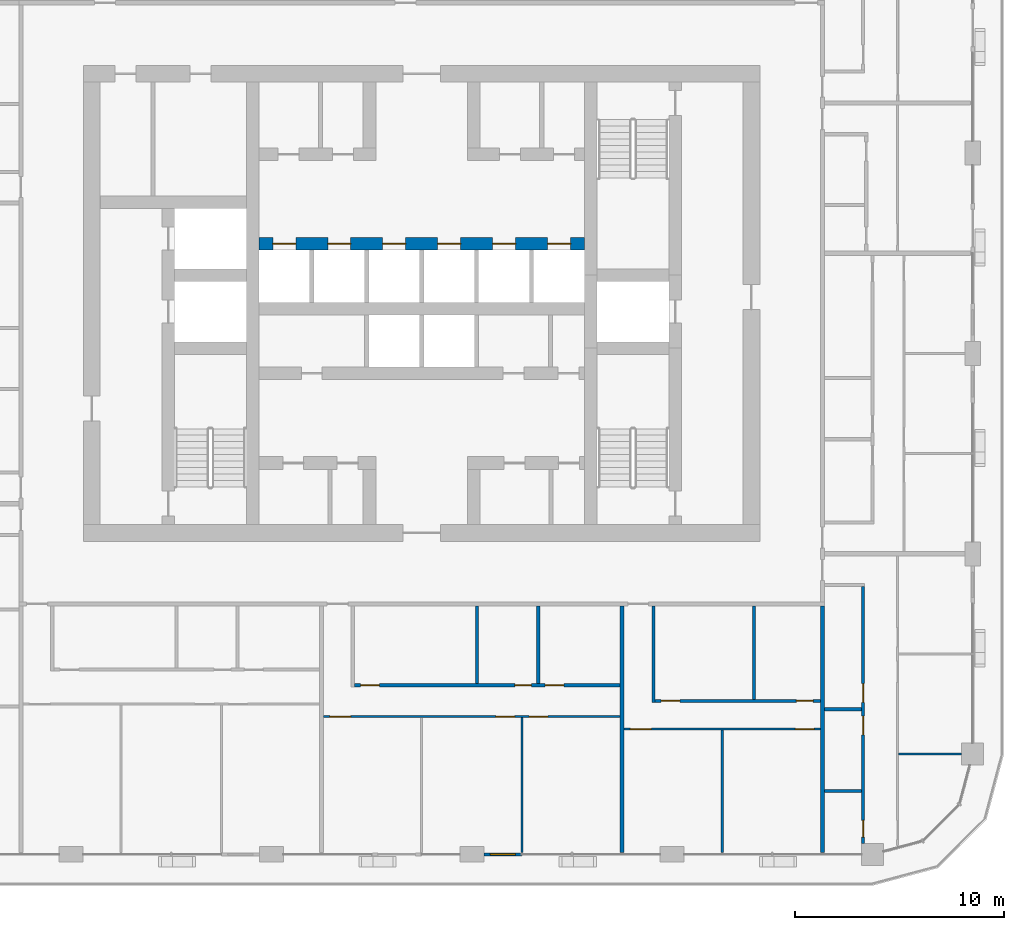
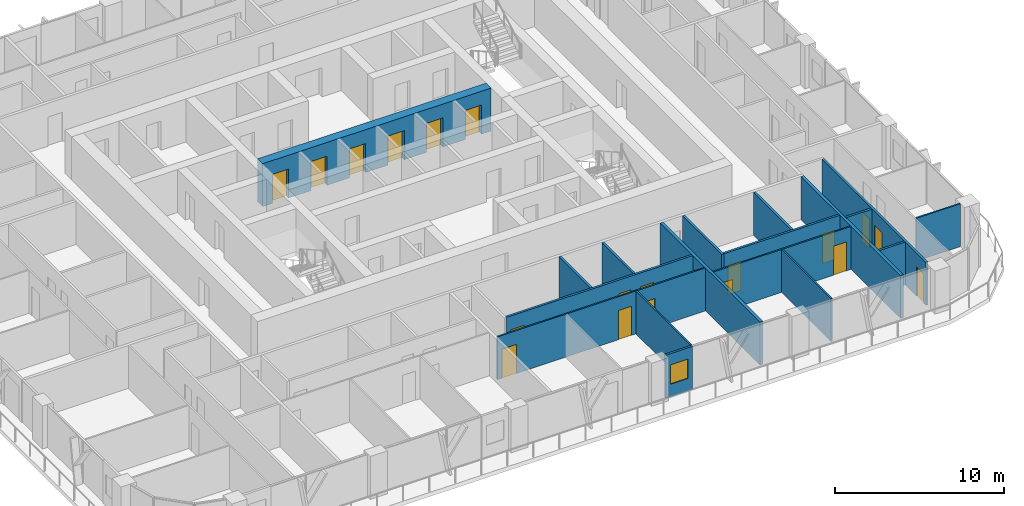
# One storey, part 11 of 22: 19 doors, 18 walls, 1 window, 20 openings.
"""IFC4 building model written with IfcOpenShell, lengths in metres."""

from ifc_helpers import new_model, si_unit, direction, frame, frame_2d, origin, place, context, subcontext, project, spatial, rectangle, extrude, material, layer, layer_set, type_object, element, fill, save


model = new_model("IFC4")

# Units and contexts
model_context = context("Model", 3, precision=1e-05, world=origin(), true_north=direction((0.0, 1.0)))
body_context = subcontext(model_context, "Body", "Model", "MODEL_VIEW")
ifc_project = project(units=[si_unit("LENGTHUNIT", "METRE"), si_unit("AREAUNIT", "SQUARE_METRE"), si_unit("VOLUMEUNIT", "CUBIC_METRE"), si_unit("PLANEANGLEUNIT", "RADIAN"), si_unit("MASSUNIT", "GRAM", prefix="KILO")], contexts=[model_context])

# Site, building, storey
site_placement = place(None, origin())
site = spatial("IfcSite", under=ifc_project, at=site_placement, CompositionType="ELEMENT")
building_placement = place(site_placement, origin())
building = spatial("IfcBuilding", under=site, at=building_placement, Name="Madar Terraces", CompositionType="ELEMENT")
storey_placement = place(building_placement, frame((0.0, 0.0, 170.0)))
storey = spatial("IfcBuildingStorey", under=building, at=storey_placement, Name="L44", CompositionType="ELEMENT", Elevation=170.0)

# Wall, openings, doors
ifc_material_1 = material(Name="Concrete C70/85", Category="concrete")
ifc_layer_1 = layer(ifc_material_1, 0.60009765625)
ifc_layer_set_1 = layer_set([ifc_layer_1], Name="Concrete C70/85 (CIW3 RC wall 600)")
wall_type_1 = type_object("IfcWallType", Name="CIW3 RC wall 600", PredefinedType="SHEAR", material=ifc_layer_set_1)
wall_1_placement = place(storey_placement, frame((23.39990234375, 29.25, 0.0), z_axis=(0.0, 0.0, 1.0), x_axis=(1.0, 0.0, 0.0)))
wall_1 = element("IfcWall", 1, at=wall_1_placement, inside=storey, type_object=wall_type_1, Name="CORE SHAFT WALL", PredefinedType="SHEAR", context=body_context, shape_type="SweptSolid", body=[
    extrude(rectangle(XDim=15.60009765625, YDim=0.60009765625, at=frame_2d((7.800048828125, 0.0))), origin(), (0.0, 0.0, 1.0), 3.10009765625),
])
opening_1_placement = place(wall_1_placement, frame((0.666748046875, 0.0, 0.0)))
opening_1 = element("IfcOpeningElement", 2, at=opening_1_placement, cuts=wall_1, Name="Opening LD", PredefinedType="OPENING", context=body_context, shape_type="SweptSolid", body=[
    extrude(rectangle(XDim=1.10009765625, YDim=2.10009765625, at=frame_2d((0.550048828125, 1.050048828125))), frame((0.0, 0.31005859375, 0.0), z_axis=(0.0, -1.0, 0.0), x_axis=(1.0, 0.0, 0.0)), (0.0, 0.0, 1.0), 0.6201171875),
])
opening_2_placement = place(wall_1_placement, frame((3.300048828125, 0.0, 0.0)))
opening_2 = element("IfcOpeningElement", 3, at=opening_2_placement, cuts=wall_1, Name="Opening LD", PredefinedType="OPENING", context=body_context, shape_type="SweptSolid", body=[
    extrude(rectangle(XDim=1.10009765625, YDim=2.10009765625, at=frame_2d((0.550048828125, 1.050048828125))), frame((0.0, 0.31005859375, 0.0), z_axis=(0.0, -1.0, 0.0), x_axis=(1.0, 0.0, 0.0)), (0.0, 0.0, 1.0), 0.6201171875),
])
opening_3_placement = place(wall_1_placement, frame((5.933349609375, 0.0, 0.0)))
opening_3 = element("IfcOpeningElement", 4, at=opening_3_placement, cuts=wall_1, Name="Opening LD", PredefinedType="OPENING", context=body_context, shape_type="SweptSolid", body=[
    extrude(rectangle(XDim=1.10009765625, YDim=2.10009765625, at=frame_2d((0.550048828125, 1.050048828125))), frame((0.0, 0.31005859375, 0.0), z_axis=(0.0, -1.0, 0.0), x_axis=(1.0, 0.0, 0.0)), (0.0, 0.0, 1.0), 0.6201171875),
])
opening_4_placement = place(wall_1_placement, frame((8.566650390625, 0.0, 0.0)))
opening_4 = element("IfcOpeningElement", 5, at=opening_4_placement, cuts=wall_1, Name="Opening LD", PredefinedType="OPENING", context=body_context, shape_type="SweptSolid", body=[
    extrude(rectangle(XDim=1.10009765625, YDim=2.10009765625, at=frame_2d((0.550048828125, 1.050048828125))), frame((0.0, 0.31005859375, 0.0), z_axis=(0.0, -1.0, 0.0), x_axis=(1.0, 0.0, 0.0)), (0.0, 0.0, 1.0), 0.6201171875),
])
opening_5_placement = place(wall_1_placement, frame((11.199951171875, 0.0, 0.0)))
opening_5 = element("IfcOpeningElement", 6, at=opening_5_placement, cuts=wall_1, Name="Opening LD", PredefinedType="OPENING", context=body_context, shape_type="SweptSolid", body=[
    extrude(rectangle(XDim=1.10009765625, YDim=2.10009765625, at=frame_2d((0.550048828125, 1.050048828125))), frame((0.0, 0.31005859375, 0.0), z_axis=(0.0, -1.0, 0.0), x_axis=(1.0, 0.0, 0.0)), (0.0, 0.0, 1.0), 0.6201171875),
])
opening_6_placement = place(wall_1_placement, frame((13.833251953125, 0.0, 0.0)))
opening_6 = element("IfcOpeningElement", 7, at=opening_6_placement, cuts=wall_1, Name="Opening LD", PredefinedType="OPENING", context=body_context, shape_type="SweptSolid", body=[
    extrude(rectangle(XDim=1.10009765625, YDim=2.10009765625, at=frame_2d((0.550048828125, 1.050048828125))), frame((0.0, 0.31005859375, 0.0), z_axis=(0.0, -1.0, 0.0), x_axis=(1.0, 0.0, 0.0)), (0.0, 0.0, 1.0), 0.6201171875),
])
ifc_material_2 = material(Name="Stainless steel panel", Category="steel")
door_type_1 = type_object("IfcDoorType", Name="Lift landing door 1100 x 2100", OperationType="DOUBLE_DOOR_SLIDING", PredefinedType="DOOR", material=ifc_material_2)
door_1_placement = place(opening_1_placement, origin())
door_1 = element("IfcDoor", 8, at=door_1_placement, inside=storey, type_object=door_type_1, Name="LIFT LANDING DOOR", OperationType="DOUBLE_DOOR_SLIDING", OverallHeight=2.10009765625, OverallWidth=1.10009765625, PredefinedType="DOOR", context=body_context, shape_type="SweptSolid", body=[
    extrude(rectangle(XDim=1.10009765625, YDim=2.10009765625, at=frame_2d((0.550048828125, 1.050048828125))), frame((0.0, 0.02490234375, 0.0), z_axis=(0.0, -1.0, 0.0), x_axis=(1.0, 0.0, 0.0)), (0.0, 0.0, 1.0), 0.050048828125),
])
fill(opening_1, door_1)
door_2_placement = place(opening_2_placement, origin())
door_2 = element("IfcDoor", 9, at=door_2_placement, inside=storey, type_object=door_type_1, Name="LIFT LANDING DOOR", OperationType="DOUBLE_DOOR_SLIDING", OverallHeight=2.10009765625, OverallWidth=1.10009765625, PredefinedType="DOOR", context=body_context, shape_type="SweptSolid", body=[
    extrude(rectangle(XDim=1.10009765625, YDim=2.10009765625, at=frame_2d((0.550048828125, 1.050048828125))), frame((0.0, 0.02490234375, 0.0), z_axis=(0.0, -1.0, 0.0), x_axis=(1.0, 0.0, 0.0)), (0.0, 0.0, 1.0), 0.050048828125),
])
fill(opening_2, door_2)
door_3_placement = place(opening_3_placement, origin())
door_3 = element("IfcDoor", 10, at=door_3_placement, inside=storey, type_object=door_type_1, Name="LIFT LANDING DOOR", OperationType="DOUBLE_DOOR_SLIDING", OverallHeight=2.10009765625, OverallWidth=1.10009765625, PredefinedType="DOOR", context=body_context, shape_type="SweptSolid", body=[
    extrude(rectangle(XDim=1.10009765625, YDim=2.10009765625, at=frame_2d((0.550048828125, 1.050048828125))), frame((0.0, 0.02490234375, 0.0), z_axis=(0.0, -1.0, 0.0), x_axis=(1.0, 0.0, 0.0)), (0.0, 0.0, 1.0), 0.050048828125),
])
fill(opening_3, door_3)
door_4_placement = place(opening_4_placement, origin())
door_4 = element("IfcDoor", 11, at=door_4_placement, inside=storey, type_object=door_type_1, Name="LIFT LANDING DOOR", OperationType="DOUBLE_DOOR_SLIDING", OverallHeight=2.10009765625, OverallWidth=1.10009765625, PredefinedType="DOOR", context=body_context, shape_type="SweptSolid", body=[
    extrude(rectangle(XDim=1.10009765625, YDim=2.10009765625, at=frame_2d((0.550048828125, 1.050048828125))), frame((0.0, 0.02490234375, 0.0), z_axis=(0.0, -1.0, 0.0), x_axis=(1.0, 0.0, 0.0)), (0.0, 0.0, 1.0), 0.050048828125),
])
fill(opening_4, door_4)
door_5_placement = place(opening_5_placement, origin())
door_5 = element("IfcDoor", 12, at=door_5_placement, inside=storey, type_object=door_type_1, Name="LIFT LANDING DOOR", OperationType="DOUBLE_DOOR_SLIDING", OverallHeight=2.10009765625, OverallWidth=1.10009765625, PredefinedType="DOOR", context=body_context, shape_type="SweptSolid", body=[
    extrude(rectangle(XDim=1.10009765625, YDim=2.10009765625, at=frame_2d((0.550048828125, 1.050048828125))), frame((0.0, 0.02490234375, 0.0), z_axis=(0.0, -1.0, 0.0), x_axis=(1.0, 0.0, 0.0)), (0.0, 0.0, 1.0), 0.050048828125),
])
fill(opening_5, door_5)
door_6_placement = place(opening_6_placement, origin())
door_6 = element("IfcDoor", 13, at=door_6_placement, inside=storey, type_object=door_type_1, Name="LIFT LANDING DOOR", OperationType="DOUBLE_DOOR_SLIDING", OverallHeight=2.10009765625, OverallWidth=1.10009765625, PredefinedType="DOOR", context=body_context, shape_type="SweptSolid", body=[
    extrude(rectangle(XDim=1.10009765625, YDim=2.10009765625, at=frame_2d((0.550048828125, 1.050048828125))), frame((0.0, 0.02490234375, 0.0), z_axis=(0.0, -1.0, 0.0), x_axis=(1.0, 0.0, 0.0)), (0.0, 0.0, 1.0), 0.050048828125),
])
fill(opening_6, door_6)

# Wall, opening, window
ifc_material_3 = material(Name="Aluminium composite panel, black, over insulated backing", Category="aluminium")
ifc_layer_2 = layer(ifc_material_3, 0.14990234375)
ifc_layer_set_2 = layer_set([ifc_layer_2], Name="Facade bay panel 150")
wall_type_2 = type_object("IfcWallType", Name="Facade bay panel 150", PredefinedType="SOLIDWALL", material=ifc_layer_set_2)
wall_2_placement = place(storey_placement, frame((34.175048828125, 0.0, 0.0), z_axis=(0.0, 0.0, 1.0), x_axis=(1.0, 0.0, 0.0)))
wall_2 = element("IfcWall", 14, at=wall_2_placement, inside=storey, type_object=wall_type_2, Name="Facade bay panel", PredefinedType="SOLIDWALL", context=body_context, shape_type="SweptSolid", body=[
    extrude(rectangle(XDim=1.824951171875, YDim=0.14990234375, at=frame_2d((0.91259765625, 0.0))), origin(), (0.0, 0.0, 1.0), 3.10009765625),
])
opening_7_placement = place(wall_2_placement, frame((0.3125, 0.0, 0.89990234375)))
opening_7 = element("IfcOpeningElement", 15, at=opening_7_placement, cuts=wall_2, Name="Opening W1", PredefinedType="OPENING", context=body_context, shape_type="SweptSolid", body=[
    extrude(rectangle(XDim=1.199951171875, YDim=1.39990234375, at=frame_2d((0.60009765625, 0.699951171875))), frame((0.0, 0.0849609375, 0.0), z_axis=(0.0, -1.0, 0.0), x_axis=(1.0, 0.0, 0.0)), (0.0, 0.0, 1.0), 0.169921875),
])
ifc_material_4 = material(Name="Glass, clear, with black aluminium frame", Category="aluminium")
window_type = type_object("IfcWindowType", Name="Vent window 1200 x 1400", PartitioningType="SINGLE_PANEL", PredefinedType="WINDOW", material=ifc_material_4)
window_placement = place(opening_7_placement, origin())
window = element("IfcWindow", 16, at=window_placement, inside=storey, type_object=window_type, Name="Operable vent window", OverallHeight=1.39990234375, OverallWidth=1.199951171875, PartitioningType="SINGLE_PANEL", PredefinedType="WINDOW", context=body_context, shape_type="SweptSolid", body=[
    extrude(rectangle(XDim=1.199951171875, YDim=1.39990234375, at=frame_2d((0.60009765625, 0.699951171875))), frame((0.0, 0.030029296875, 0.0), z_axis=(0.0, -1.0, 0.0), x_axis=(1.0, 0.0, 0.0)), (0.0, 0.0, 1.0), 0.06005859375),
])
fill(opening_7, window)

# Wall
ifc_material_5 = material(Name="Gypsum board on steel studs", Category="steel")
ifc_layer_3 = layer(ifc_material_5, 0.10009765625)
ifc_layer_set_3 = layer_set([ifc_layer_3], Name="Flat partition 100")
wall_type_3 = type_object("IfcWallType", Name="Flat partition 100", PredefinedType="PARTITIONING", material=ifc_layer_set_3)
wall_3_placement = place(storey_placement, frame((36.0, 6.550048828125, 0.0), z_axis=(0.0, 0.0, 1.0), x_axis=(0.0, -1.0, 0.0)))
element("IfcWall", 17, at=wall_3_placement, inside=storey, type_object=wall_type_3, Name="Flat partition 100", PredefinedType="PARTITIONING", context=body_context, shape_type="SweptSolid", body=[
    extrude(rectangle(XDim=6.449951171875, YDim=0.10009765625, at=frame_2d((3.22509765625, 0.0))), origin(), (0.0, 0.0, 1.0), 3.10009765625),
])

# Wall, openings, doors
wall_4_placement = place(storey_placement, frame((40.699951171875, 6.60009765625, 0.0), z_axis=(0.0, 0.0, 1.0), x_axis=(-1.0, 0.0, 0.0)))
wall_4 = element("IfcWall", 18, at=wall_4_placement, inside=storey, type_object=wall_type_3, Name="Flat partition 100", PredefinedType="PARTITIONING", context=body_context, shape_type="SweptSolid", body=[
    extrude(rectangle(XDim=14.199951171875, YDim=0.10009765625, at=frame_2d((7.10009765625, 0.0))), origin(), (0.0, 0.0, 1.0), 3.10009765625),
])
opening_8_placement = place(wall_4_placement, frame((12.89990234375, 0.0, 0.0)))
opening_8 = element("IfcOpeningElement", 19, at=opening_8_placement, cuts=wall_4, Name="Opening D3", PredefinedType="OPENING", context=body_context, shape_type="SweptSolid", body=[
    extrude(rectangle(XDim=1.0, YDim=2.10009765625, at=frame_2d((0.5, 1.050048828125))), frame((0.0, 0.06005859375, 0.0), z_axis=(0.0, -1.0, 0.0), x_axis=(1.0, 0.0, 0.0)), (0.0, 0.0, 1.0), 0.1201171875),
])
opening_9_placement = place(wall_4_placement, frame((5.050048828125, 0.0, 0.0)))
opening_9 = element("IfcOpeningElement", 20, at=opening_9_placement, cuts=wall_4, Name="Opening D2", PredefinedType="OPENING", context=body_context, shape_type="SweptSolid", body=[
    extrude(rectangle(XDim=0.89990234375, YDim=2.10009765625, at=frame_2d((0.449951171875, 1.050048828125))), frame((0.0, 0.06005859375, 0.0), z_axis=(0.0, -1.0, 0.0), x_axis=(1.0, 0.0, 0.0)), (0.0, 0.0, 1.0), 0.1201171875),
])
opening_10_placement = place(wall_4_placement, frame((3.449951171875, 0.0, 0.0)))
opening_10 = element("IfcOpeningElement", 21, at=opening_10_placement, cuts=wall_4, Name="Opening D2", PredefinedType="OPENING", context=body_context, shape_type="SweptSolid", body=[
    extrude(rectangle(XDim=0.89990234375, YDim=2.10009765625, at=frame_2d((0.449951171875, 1.050048828125))), frame((0.0, 0.06005859375, 0.0), z_axis=(0.0, -1.0, 0.0), x_axis=(1.0, 0.0, 0.0)), (0.0, 0.0, 1.0), 0.1201171875),
])
ifc_material_6 = material(Name="Timber door leaf", Category="wood")
door_type_2 = type_object("IfcDoorType", Name="Flat living room door 1000", OperationType="NOTDEFINED", PredefinedType="DOOR", material=ifc_material_6)
door_7_placement = place(opening_8_placement, origin())
door_7 = element("IfcDoor", 22, at=door_7_placement, inside=storey, type_object=door_type_2, Name="Flat living room door 1000", OperationType="SINGLE_SWING_RIGHT", OverallHeight=2.10009765625, OverallWidth=1.0, PredefinedType="DOOR", context=body_context, shape_type="SweptSolid", body=[
    extrude(rectangle(XDim=1.0, YDim=2.10009765625, at=frame_2d((0.5, 1.050048828125))), frame((0.0, 0.02490234375, 0.0), z_axis=(0.0, -1.0, 0.0), x_axis=(1.0, 0.0, 0.0)), (0.0, 0.0, 1.0), 0.050048828125),
])
fill(opening_8, door_7)
ifc_material_7 = material(Name="Timber door leaf", Category="wood")
door_type_3 = type_object("IfcDoorType", Name="Flat room door 900", OperationType="NOTDEFINED", PredefinedType="DOOR", material=ifc_material_7)
door_8_placement = place(opening_9_placement, origin())
door_8 = element("IfcDoor", 23, at=door_8_placement, inside=storey, type_object=door_type_3, Name="Flat room door 900", OperationType="SINGLE_SWING_LEFT", OverallHeight=2.10009765625, OverallWidth=0.89990234375, PredefinedType="DOOR", context=body_context, shape_type="SweptSolid", body=[
    extrude(rectangle(XDim=0.89990234375, YDim=2.10009765625, at=frame_2d((0.449951171875, 1.050048828125))), frame((0.0, 0.02490234375, 0.0), z_axis=(0.0, -1.0, 0.0), x_axis=(1.0, 0.0, 0.0)), (0.0, 0.0, 1.0), 0.050048828125),
])
fill(opening_9, door_8)
door_9_placement = place(opening_10_placement, origin())
door_9 = element("IfcDoor", 24, at=door_9_placement, inside=storey, type_object=door_type_3, Name="Flat room door 900", OperationType="SINGLE_SWING_RIGHT", OverallHeight=2.10009765625, OverallWidth=0.89990234375, PredefinedType="DOOR", context=body_context, shape_type="SweptSolid", body=[
    extrude(rectangle(XDim=0.89990234375, YDim=2.10009765625, at=frame_2d((0.449951171875, 1.050048828125))), frame((0.0, 0.02490234375, 0.0), z_axis=(0.0, -1.0, 0.0), x_axis=(1.0, 0.0, 0.0)), (0.0, 0.0, 1.0), 0.050048828125),
])
fill(opening_10, door_9)

# Wall
wall_5_placement = place(storey_placement, frame((45.60009765625, 5.949951171875, 0.0), z_axis=(0.0, 0.0, 1.0), x_axis=(0.0, -1.0, 0.0)))
element("IfcWall", 25, at=wall_5_placement, inside=storey, type_object=wall_type_3, Name="Flat partition 100", PredefinedType="PARTITIONING", context=body_context, shape_type="SweptSolid", body=[
    extrude(rectangle(XDim=5.849853515625, YDim=0.10009765625, at=frame_2d((2.9248046875, 0.0))), origin(), (0.0, 0.0, 1.0), 3.10009765625),
])

# Wall, openings, doors
wall_6_placement = place(storey_placement, frame((50.300048828125, 6.0, 0.0), z_axis=(0.0, 0.0, 1.0), x_axis=(-1.0, 0.0, 0.0)))
wall_6 = element("IfcWall", 26, at=wall_6_placement, inside=storey, type_object=wall_type_3, Name="Flat partition 100", PredefinedType="PARTITIONING", context=body_context, shape_type="SweptSolid", body=[
    extrude(rectangle(XDim=9.400146484375, YDim=0.10009765625, at=frame_2d((4.7001953125, 0.0))), origin(), (0.0, 0.0, 1.0), 3.10009765625),
])
opening_11_placement = place(wall_6_placement, frame((8.10009765625, 0.0, 0.0)))
opening_11 = element("IfcOpeningElement", 27, at=opening_11_placement, cuts=wall_6, Name="Opening D3", PredefinedType="OPENING", context=body_context, shape_type="SweptSolid", body=[
    extrude(rectangle(XDim=1.0, YDim=2.10009765625, at=frame_2d((0.5, 1.050048828125))), frame((0.0, 0.06005859375, 0.0), z_axis=(0.0, -1.0, 0.0), x_axis=(1.0, 0.0, 0.0)), (0.0, 0.0, 1.0), 0.1201171875),
])
opening_12_placement = place(wall_6_placement, frame((0.300048828125, 0.0, 0.0)))
opening_12 = element("IfcOpeningElement", 28, at=opening_12_placement, cuts=wall_6, Name="Opening D2", PredefinedType="OPENING", context=body_context, shape_type="SweptSolid", body=[
    extrude(rectangle(XDim=0.89990234375, YDim=2.10009765625, at=frame_2d((0.449951171875, 1.050048828125))), frame((0.0, 0.06005859375, 0.0), z_axis=(0.0, -1.0, 0.0), x_axis=(1.0, 0.0, 0.0)), (0.0, 0.0, 1.0), 0.1201171875),
])
door_10_placement = place(opening_11_placement, origin())
door_10 = element("IfcDoor", 29, at=door_10_placement, inside=storey, type_object=door_type_2, Name="Flat living room door 1000", OperationType="SINGLE_SWING_RIGHT", OverallHeight=2.10009765625, OverallWidth=1.0, PredefinedType="DOOR", context=body_context, shape_type="SweptSolid", body=[
    extrude(rectangle(XDim=1.0, YDim=2.10009765625, at=frame_2d((0.5, 1.050048828125))), frame((0.0, 0.02490234375, 0.0), z_axis=(0.0, -1.0, 0.0), x_axis=(1.0, 0.0, 0.0)), (0.0, 0.0, 1.0), 0.050048828125),
])
fill(opening_11, door_10)
door_11_placement = place(opening_12_placement, origin())
door_11 = element("IfcDoor", 30, at=door_11_placement, inside=storey, type_object=door_type_3, Name="Flat room door 900", OperationType="SINGLE_SWING_LEFT", OverallHeight=2.10009765625, OverallWidth=0.89990234375, PredefinedType="DOOR", context=body_context, shape_type="SweptSolid", body=[
    extrude(rectangle(XDim=0.89990234375, YDim=2.10009765625, at=frame_2d((0.449951171875, 1.050048828125))), frame((0.0, 0.02490234375, 0.0), z_axis=(0.0, -1.0, 0.0), x_axis=(1.0, 0.0, 0.0)), (0.0, 0.0, 1.0), 0.050048828125),
])
fill(opening_12, door_11)

# Walls
wall_7_placement = place(storey_placement, frame((54.050048828125, 4.800048828125, 0.0), z_axis=(0.0, 0.0, 1.0), x_axis=(1.0, 0.0, 0.0)))
element("IfcWall", 31, at=wall_7_placement, inside=storey, type_object=wall_type_3, Name="Flat partition 100", PredefinedType="PARTITIONING", context=body_context, shape_type="SweptSolid", body=[
    extrude(rectangle(XDim=3.02490234375, YDim=0.10009765625, at=frame_2d((1.512451171875, 0.0))), origin(), (0.0, 0.0, 1.0), 3.10009765625),
])
ifc_material_8 = material(Name="Lightweight blockwork", Category="masonry")
ifc_layer_4 = layer(ifc_material_8, 0.199951171875)
ifc_layer_set_4 = layer_set([ifc_layer_4], Name="Flat party and entrance wall 200")
wall_type_4 = type_object("IfcWallType", Name="Flat party and entrance wall 200", PredefinedType="PARTITIONING", material=ifc_layer_set_4)
for number, where, z_axis, x_axis, name in (
    (32, (40.800048828125, 11.89990234375, 0.0), (0.0, 0.0, 1.0), (0.0, -1.0, 0.0), "Flat party and entrance wall 200"),
    (33, (50.39990234375, 11.89990234375, 0.0), (0.0, 0.0, 1.0), (0.0, -1.0, 0.0), "Flat party and entrance wall 200"),
):
    element("IfcWall", number, at=place(storey_placement, frame(where, z_axis=z_axis, x_axis=x_axis)), inside=storey, type_object=wall_type_4, Name=name, PredefinedType="PARTITIONING", context=body_context, shape_type="SweptSolid", body=[
        extrude(rectangle(XDim=11.7998046875, YDim=0.199951171875, at=frame_2d((5.89990234375, 0.0))), origin(), (0.0, 0.0, 1.0), 3.10009765625),
    ])
ifc_material_9 = material(Name="Lightweight blockwork", Category="masonry")
ifc_layer_5 = layer(ifc_material_9, 0.14990234375)
ifc_layer_set_5 = layer_set([ifc_layer_5], Name="Flat wet-room partition 150")
wall_type_5 = type_object("IfcWallType", Name="Flat wet-room partition 150", PredefinedType="PARTITIONING", material=ifc_layer_set_5)
for number, where, z_axis, x_axis, name in (
    (34, (33.84814453125, 11.89990234375, 0.0), (0.0, 0.0, 1.0), (0.0, -1.0, 0.0), "Flat wet-room partition 150"),
    (35, (36.78466796875, 11.89990234375, 0.0), (0.0, 0.0, 1.0), (0.0, -1.0, 0.0), "Flat wet-room partition 150"),
):
    element("IfcWall", number, at=place(storey_placement, frame(where, z_axis=z_axis, x_axis=x_axis)), inside=storey, type_object=wall_type_5, Name=name, PredefinedType="PARTITIONING", context=body_context, shape_type="SweptSolid", body=[
        extrude(rectangle(XDim=3.724853515625, YDim=0.14990234375, at=frame_2d((1.8623046875, 0.0))), origin(), (0.0, 0.0, 1.0), 3.10009765625),
    ])

# Wall, openings, doors
wall_8_placement = place(storey_placement, frame((27.97509765625, 8.10009765625, 0.0), z_axis=(0.0, 0.0, 1.0), x_axis=(1.0, 0.0, 0.0)))
wall_8 = element("IfcWall", 36, at=wall_8_placement, inside=storey, type_object=wall_type_5, Name="Flat wet-room partition 150", PredefinedType="PARTITIONING", context=body_context, shape_type="SweptSolid", body=[
    extrude(rectangle(XDim=12.724853515625, YDim=0.14990234375, at=frame_2d((6.3623046875, 0.0))), origin(), (0.0, 0.0, 1.0), 3.10009765625),
])
opening_13_placement = place(wall_8_placement, frame((0.300048828125, 0.0, 0.0)))
opening_13 = element("IfcOpeningElement", 37, at=opening_13_placement, cuts=wall_8, Name="Opening D2", PredefinedType="OPENING", context=body_context, shape_type="SweptSolid", body=[
    extrude(rectangle(XDim=0.89990234375, YDim=2.10009765625, at=frame_2d((0.449951171875, 1.050048828125))), frame((0.0, 0.0849609375, 0.0), z_axis=(0.0, -1.0, 0.0), x_axis=(1.0, 0.0, 0.0)), (0.0, 0.0, 1.0), 0.169921875),
])
opening_14_placement = place(wall_8_placement, frame((7.6845703125, 0.0, 0.0)))
opening_14 = element("IfcOpeningElement", 38, at=opening_14_placement, cuts=wall_8, Name="Opening D4", PredefinedType="OPENING", context=body_context, shape_type="SweptSolid", body=[
    extrude(rectangle(XDim=0.800048828125, YDim=2.10009765625, at=frame_2d((0.39990234375, 1.050048828125))), frame((0.0, 0.0849609375, 0.0), z_axis=(0.0, -1.0, 0.0), x_axis=(1.0, 0.0, 0.0)), (0.0, 0.0, 1.0), 0.169921875),
])
opening_15_placement = place(wall_8_placement, frame((9.134521484375, 0.0, 0.0)))
opening_15 = element("IfcOpeningElement", 39, at=opening_15_placement, cuts=wall_8, Name="Opening D5", PredefinedType="OPENING", context=body_context, shape_type="SweptSolid", body=[
    extrude(rectangle(XDim=0.89990234375, YDim=2.10009765625, at=frame_2d((0.449951171875, 1.050048828125))), frame((0.0, 0.0849609375, 0.0), z_axis=(0.0, -1.0, 0.0), x_axis=(1.0, 0.0, 0.0)), (0.0, 0.0, 1.0), 0.169921875),
])
ifc_material_10 = material(Name="Timber door leaf", Category="wood")
door_type_4 = type_object("IfcDoorType", Name="Flat accessible bathroom door 900", OperationType="NOTDEFINED", PredefinedType="DOOR", material=ifc_material_10)
door_12_placement = place(opening_15_placement, origin())
door_12 = element("IfcDoor", 40, at=door_12_placement, inside=storey, type_object=door_type_4, Name="Flat accessible bathroom door 900", OperationType="SINGLE_SWING_LEFT", OverallHeight=2.10009765625, OverallWidth=0.89990234375, PredefinedType="DOOR", context=body_context, shape_type="SweptSolid", body=[
    extrude(rectangle(XDim=0.89990234375, YDim=2.10009765625, at=frame_2d((0.449951171875, 1.050048828125))), frame((0.0, 0.02490234375, 0.0), z_axis=(0.0, -1.0, 0.0), x_axis=(1.0, 0.0, 0.0)), (0.0, 0.0, 1.0), 0.050048828125),
])
fill(opening_15, door_12)
ifc_material_11 = material(Name="Timber door leaf", Category="wood")
door_type_5 = type_object("IfcDoorType", Name="Flat bathroom door 800", OperationType="NOTDEFINED", PredefinedType="DOOR", material=ifc_material_11)
door_13_placement = place(opening_14_placement, origin())
door_13 = element("IfcDoor", 41, at=door_13_placement, inside=storey, type_object=door_type_5, Name="Flat bathroom door 800", OperationType="SINGLE_SWING_RIGHT", OverallHeight=2.10009765625, OverallWidth=0.800048828125, PredefinedType="DOOR", context=body_context, shape_type="SweptSolid", body=[
    extrude(rectangle(XDim=0.800048828125, YDim=2.10009765625, at=frame_2d((0.39990234375, 1.050048828125))), frame((0.0, 0.02490234375, 0.0), z_axis=(0.0, -1.0, 0.0), x_axis=(1.0, 0.0, 0.0)), (0.0, 0.0, 1.0), 0.050048828125),
])
fill(opening_14, door_13)
door_14_placement = place(opening_13_placement, origin())
door_14 = element("IfcDoor", 42, at=door_14_placement, inside=storey, type_object=door_type_3, Name="Flat room door 900", OperationType="SINGLE_SWING_LEFT", OverallHeight=2.10009765625, OverallWidth=0.89990234375, PredefinedType="DOOR", context=body_context, shape_type="SweptSolid", body=[
    extrude(rectangle(XDim=0.89990234375, YDim=2.10009765625, at=frame_2d((0.449951171875, 1.050048828125))), frame((0.0, 0.02490234375, 0.0), z_axis=(0.0, -1.0, 0.0), x_axis=(1.0, 0.0, 0.0)), (0.0, 0.0, 1.0), 0.050048828125),
])
fill(opening_13, door_14)

# Walls
wall_9_placement = place(storey_placement, frame((47.1298828125, 11.89990234375, 0.0), z_axis=(0.0, 0.0, 1.0), x_axis=(0.0, -1.0, 0.0)))
element("IfcWall", 43, at=wall_9_placement, inside=storey, type_object=wall_type_5, Name="Flat wet-room partition 150", PredefinedType="PARTITIONING", context=body_context, shape_type="SweptSolid", body=[
    extrude(rectangle(XDim=4.474853515625, YDim=0.14990234375, at=frame_2d((2.2373046875, 0.0))), origin(), (0.0, 0.0, 1.0), 3.10009765625),
])
wall_10_placement = place(storey_placement, frame((42.300048828125, 11.89990234375, 0.0), z_axis=(0.0, 0.0, 1.0), x_axis=(0.0, -1.0, 0.0)))
element("IfcWall", 44, at=wall_10_placement, inside=storey, type_object=wall_type_5, Name="Flat wet-room partition 150", PredefinedType="PARTITIONING", context=body_context, shape_type="SweptSolid", body=[
    extrude(rectangle(XDim=4.625, YDim=0.14990234375, at=frame_2d((2.3125, 0.0))), origin(), (0.0, 0.0, 1.0), 3.10009765625),
])

# Wall, openings, doors
wall_11_placement = place(storey_placement, frame((42.375, 7.35009765625, 0.0), z_axis=(0.0, 0.0, 1.0), x_axis=(1.0, 0.0, 0.0)))
wall_11 = element("IfcWall", 45, at=wall_11_placement, inside=storey, type_object=wall_type_5, Name="Flat wet-room partition 150", PredefinedType="PARTITIONING", context=body_context, shape_type="SweptSolid", body=[
    extrude(rectangle(XDim=7.925048828125, YDim=0.14990234375, at=frame_2d((3.96240234375, 0.0))), origin(), (0.0, 0.0, 1.0), 3.10009765625),
])
opening_16_placement = place(wall_11_placement, frame((0.300048828125, 0.0, 0.0)))
opening_16 = element("IfcOpeningElement", 46, at=opening_16_placement, cuts=wall_11, Name="Opening D2", PredefinedType="OPENING", context=body_context, shape_type="SweptSolid", body=[
    extrude(rectangle(XDim=0.89990234375, YDim=2.10009765625, at=frame_2d((0.449951171875, 1.050048828125))), frame((0.0, 0.0849609375, 0.0), z_axis=(0.0, -1.0, 0.0), x_axis=(1.0, 0.0, 0.0)), (0.0, 0.0, 1.0), 0.169921875),
])
opening_17_placement = place(wall_11_placement, frame((6.77490234375, 0.0, 0.0)))
opening_17 = element("IfcOpeningElement", 47, at=opening_17_placement, cuts=wall_11, Name="Opening D4", PredefinedType="OPENING", context=body_context, shape_type="SweptSolid", body=[
    extrude(rectangle(XDim=0.800048828125, YDim=2.10009765625, at=frame_2d((0.39990234375, 1.050048828125))), frame((0.0, 0.0849609375, 0.0), z_axis=(0.0, -1.0, 0.0), x_axis=(1.0, 0.0, 0.0)), (0.0, 0.0, 1.0), 0.169921875),
])
door_15_placement = place(opening_17_placement, origin())
door_15 = element("IfcDoor", 48, at=door_15_placement, inside=storey, type_object=door_type_5, Name="Flat bathroom door 800", OperationType="SINGLE_SWING_RIGHT", OverallHeight=2.10009765625, OverallWidth=0.800048828125, PredefinedType="DOOR", context=body_context, shape_type="SweptSolid", body=[
    extrude(rectangle(XDim=0.800048828125, YDim=2.10009765625, at=frame_2d((0.39990234375, 1.050048828125))), frame((0.0, 0.02490234375, 0.0), z_axis=(0.0, -1.0, 0.0), x_axis=(1.0, 0.0, 0.0)), (0.0, 0.0, 1.0), 0.050048828125),
])
fill(opening_17, door_15)
door_16_placement = place(opening_16_placement, origin())
door_16 = element("IfcDoor", 49, at=door_16_placement, inside=storey, type_object=door_type_3, Name="Flat room door 900", OperationType="SINGLE_SWING_LEFT", OverallHeight=2.10009765625, OverallWidth=0.89990234375, PredefinedType="DOOR", context=body_context, shape_type="SweptSolid", body=[
    extrude(rectangle(XDim=0.89990234375, YDim=2.10009765625, at=frame_2d((0.449951171875, 1.050048828125))), frame((0.0, 0.02490234375, 0.0), z_axis=(0.0, -1.0, 0.0), x_axis=(1.0, 0.0, 0.0)), (0.0, 0.0, 1.0), 0.050048828125),
])
fill(opening_16, door_16)

# Walls
for number, where, z_axis, x_axis, name in (
    (50, (50.5, 6.951904296875, 0.0), (0.0, 0.0, 1.0), (1.0, 0.0, 0.0), "Flat wet-room partition 150"),
    (51, (50.5, 3.03662109375, 0.0), (0.0, 0.0, 1.0), (1.0, 0.0, 0.0), "Flat wet-room partition 150"),
):
    element("IfcWall", number, at=place(storey_placement, frame(where, z_axis=z_axis, x_axis=x_axis)), inside=storey, type_object=wall_type_5, Name=name, PredefinedType="PARTITIONING", context=body_context, shape_type="SweptSolid", body=[
        extrude(rectangle(XDim=1.77490234375, YDim=0.14990234375, at=frame_2d((0.887451171875, 0.0))), origin(), (0.0, 0.0, 1.0), 3.10009765625),
    ])

# Wall, openings, doors
wall_12_placement = place(storey_placement, frame((52.35009765625, 0.52490234375, 0.0), z_axis=(0.0, 0.0, 1.0), x_axis=(0.0, 1.0, 0.0)))
wall_12 = element("IfcWall", 52, at=wall_12_placement, inside=storey, type_object=wall_type_5, Name="Flat wet-room partition 150", PredefinedType="PARTITIONING", context=body_context, shape_type="SweptSolid", body=[
    extrude(rectangle(XDim=12.300048828125, YDim=0.14990234375, at=frame_2d((6.14990234375, 0.0))), origin(), (0.0, 0.0, 1.0), 3.10009765625),
])
opening_18_placement = place(wall_12_placement, frame((6.751953125, 0.0, 0.0)))
opening_18 = element("IfcOpeningElement", 53, at=opening_18_placement, cuts=wall_12, Name="Opening D2", PredefinedType="OPENING", context=body_context, shape_type="SweptSolid", body=[
    extrude(rectangle(XDim=0.89990234375, YDim=2.10009765625, at=frame_2d((0.449951171875, 1.050048828125))), frame((0.0, 0.0849609375, 0.0), z_axis=(0.0, -1.0, 0.0), x_axis=(1.0, 0.0, 0.0)), (0.0, 0.0, 1.0), 0.169921875),
])
opening_19_placement = place(wall_12_placement, frame((5.201904296875, 0.0, 0.0)))
opening_19 = element("IfcOpeningElement", 54, at=opening_19_placement, cuts=wall_12, Name="Opening D5", PredefinedType="OPENING", context=body_context, shape_type="SweptSolid", body=[
    extrude(rectangle(XDim=0.89990234375, YDim=2.10009765625, at=frame_2d((0.449951171875, 1.050048828125))), frame((0.0, 0.0849609375, 0.0), z_axis=(0.0, -1.0, 0.0), x_axis=(1.0, 0.0, 0.0)), (0.0, 0.0, 1.0), 0.169921875),
])
opening_20_placement = place(wall_12_placement, frame((0.300048828125, 0.0, 0.0)))
opening_20 = element("IfcOpeningElement", 55, at=opening_20_placement, cuts=wall_12, Name="Opening D4", PredefinedType="OPENING", context=body_context, shape_type="SweptSolid", body=[
    extrude(rectangle(XDim=0.800048828125, YDim=2.10009765625, at=frame_2d((0.39990234375, 1.050048828125))), frame((0.0, 0.0849609375, 0.0), z_axis=(0.0, -1.0, 0.0), x_axis=(1.0, 0.0, 0.0)), (0.0, 0.0, 1.0), 0.169921875),
])
door_17_placement = place(opening_19_placement, origin())
door_17 = element("IfcDoor", 56, at=door_17_placement, inside=storey, type_object=door_type_4, Name="Flat accessible bathroom door 900", OperationType="SINGLE_SWING_RIGHT", OverallHeight=2.10009765625, OverallWidth=0.89990234375, PredefinedType="DOOR", context=body_context, shape_type="SweptSolid", body=[
    extrude(rectangle(XDim=0.89990234375, YDim=2.10009765625, at=frame_2d((0.449951171875, 1.050048828125))), frame((0.0, 0.02490234375, 0.0), z_axis=(0.0, -1.0, 0.0), x_axis=(1.0, 0.0, 0.0)), (0.0, 0.0, 1.0), 0.050048828125),
])
fill(opening_19, door_17)
door_18_placement = place(opening_20_placement, origin())
door_18 = element("IfcDoor", 57, at=door_18_placement, inside=storey, type_object=door_type_5, Name="Flat bathroom door 800", OperationType="SINGLE_SWING_LEFT", OverallHeight=2.10009765625, OverallWidth=0.800048828125, PredefinedType="DOOR", context=body_context, shape_type="SweptSolid", body=[
    extrude(rectangle(XDim=0.800048828125, YDim=2.10009765625, at=frame_2d((0.39990234375, 1.050048828125))), frame((0.0, 0.02490234375, 0.0), z_axis=(0.0, -1.0, 0.0), x_axis=(1.0, 0.0, 0.0)), (0.0, 0.0, 1.0), 0.050048828125),
])
fill(opening_20, door_18)
door_19_placement = place(opening_18_placement, origin())
door_19 = element("IfcDoor", 58, at=door_19_placement, inside=storey, type_object=door_type_3, Name="Flat room door 900", OperationType="SINGLE_SWING_LEFT", OverallHeight=2.10009765625, OverallWidth=0.89990234375, PredefinedType="DOOR", context=body_context, shape_type="SweptSolid", body=[
    extrude(rectangle(XDim=0.89990234375, YDim=2.10009765625, at=frame_2d((0.449951171875, 1.050048828125))), frame((0.0, 0.02490234375, 0.0), z_axis=(0.0, -1.0, 0.0), x_axis=(1.0, 0.0, 0.0)), (0.0, 0.0, 1.0), 0.050048828125),
])
fill(opening_18, door_19)

save(model, "model.ifc")
